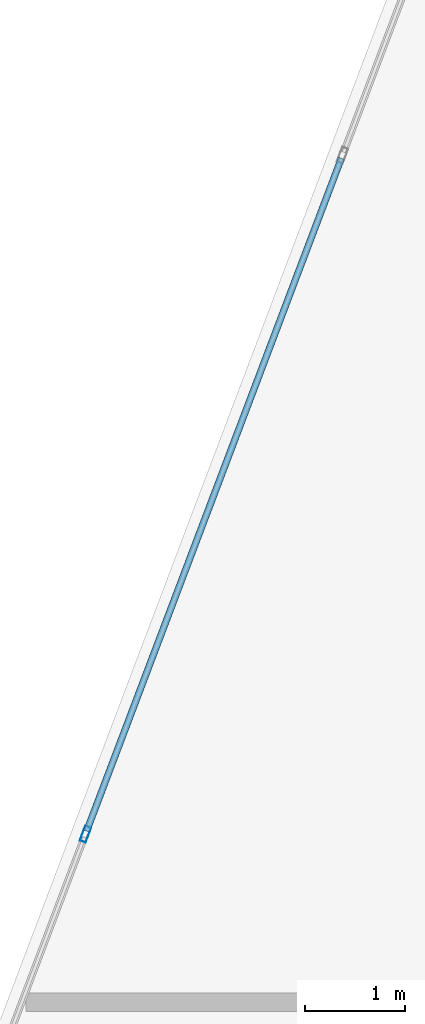
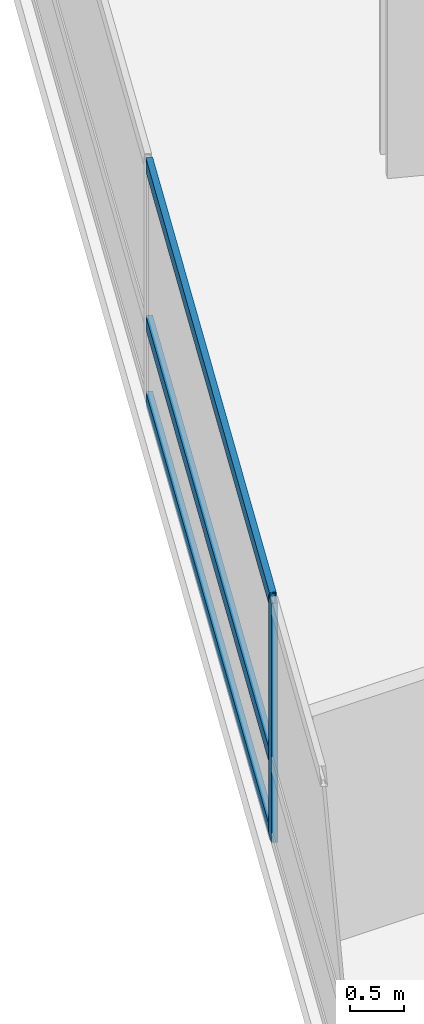
# One storey, part 4 of 24: 4 members, 1 element without a shape of its own.
"""IFC4 building model written with IfcOpenShell, lengths in metres."""

import ifcopenshell
import ifcopenshell.guid

model = None  # the IFC model being written
_history = None  # IfcOwnerHistory: only IFC2X3 demands one
_inside = {}  # id of a spatial element -> (the spatial element, [elements in it])
_under = {}  # id of a project, library or spatial element -> (it, [spatial elements below it])
_declared = {}  # id of a project -> (the project, [libraries it declares])
_typed = {}  # id of a type object -> (the type object, [elements of that type])
_made_of = {}  # id of a material, layer set ... -> (it, [elements and type objects made of it])


def new_model(schema):
    """Start an empty IFC model of exactly this schema.

    Asked for "IFC4X3", IfcOpenShell would pick the latest addendum, in which some entities
    have other attributes; the version numbers below select the first issue.
    IFC2X3 requires an IfcOwnerHistory on every rooted entity: one is made here for all.
    """
    global model, _history
    if schema == "IFC4X3":
        model = ifcopenshell.file(schema_version=(4, 3, 0, 0))
    else:
        model = ifcopenshell.file(schema=schema)
    _inside.clear()
    _under.clear()
    _declared.clear()
    _typed.clear()
    _made_of.clear()
    _history = None
    if model.schema == "IFC2X3":
        org = make("IfcOrganization", Name="unknown")
        user = make(
            "IfcPersonAndOrganization",
            ThePerson=make("IfcPerson", FamilyName="unknown"),
            TheOrganization=org,
        )
        app = make(
            "IfcApplication",
            ApplicationDeveloper=org,
            Version="unknown",
            ApplicationFullName="unknown",
            ApplicationIdentifier="unknown",
        )
        _history = make(
            "IfcOwnerHistory",
            OwningUser=user,
            OwningApplication=app,
            ChangeAction="ADDED",
            CreationDate=0,
        )
    return model


def make(cls, **values):
    """One entity of the class cls with the attributes given. An attribute that is None is left unset."""
    return model.create_entity(
        cls, **{name: value for name, value in values.items() if value is not None}
    )


def rooted(cls, **values):
    """An entity with a GlobalId (a new one), such as an element, a storey or a relation."""
    return make(cls, GlobalId=ifcopenshell.guid.new(), OwnerHistory=_history, **values)


def si_unit(unit_type, name, prefix=None):
    """IfcSIUnit, for example si_unit("LENGTHUNIT", "METRE", prefix="MILLI")."""
    return make("IfcSIUnit", UnitType=unit_type, Prefix=prefix, Name=name)


def assignment(units):
    """IfcUnitAssignment: the units of a project."""
    return None if units is None else make("IfcUnitAssignment", Units=units)


def point(xyz):
    """IfcCartesianPoint."""
    return None if xyz is None else make("IfcCartesianPoint", Coordinates=xyz)


def direction(xyz):
    """IfcDirection."""
    return None if xyz is None else make("IfcDirection", DirectionRatios=xyz)


def frame(location, z_axis=None, x_axis=None):
    """IfcAxis2Placement3D, a coordinate frame: its origin and axes. An axis left out is left unset."""
    return make(
        "IfcAxis2Placement3D",
        Location=point(location),
        Axis=direction(z_axis),
        RefDirection=direction(x_axis),
    )


def frame_2d(location, x_axis=None):
    """IfcAxis2Placement2D, a coordinate frame in the plane: its origin and x axis."""
    return make(
        "IfcAxis2Placement2D", Location=point(location), RefDirection=direction(x_axis)
    )


def origin():
    """The frame at (0, 0, 0) with its axes left unset."""
    return frame((0.0, 0.0, 0.0))


def origin_2d():
    """The frame at (0, 0) in the plane with its x axis left unset."""
    return frame_2d((0.0, 0.0))


def place(relative_to, where):
    """IfcLocalPlacement: puts the frame where relative to a parent placement (None: the world)."""
    return make(
        "IfcLocalPlacement", PlacementRelTo=relative_to, RelativePlacement=where
    )


def context(
    kind, dimensions, precision=None, world=None, true_north=None, identifier=None
):
    """IfcGeometricRepresentationContext, for example the 3D "Model" context."""
    return make(
        "IfcGeometricRepresentationContext",
        ContextIdentifier=identifier,
        ContextType=kind,
        CoordinateSpaceDimension=dimensions,
        Precision=precision,
        WorldCoordinateSystem=world,
        TrueNorth=true_north,
    )


def subcontext(parent, identifier, kind, view, scale=None):
    """IfcGeometricRepresentationSubContext, for example "Body" below "Model"."""
    return make(
        "IfcGeometricRepresentationSubContext",
        ContextIdentifier=identifier,
        ContextType=kind,
        ParentContext=parent,
        TargetScale=scale,
        TargetView=view,
    )


def project(units=None, contexts=None):
    """IfcProject with its units and contexts."""
    return rooted(
        "IfcProject",
        Name="project",
        RepresentationContexts=contexts,
        UnitsInContext=assignment(units),
    )


def spatial(cls, under=None, at=None, **own):
    """A site, building, storey or space (cls), placed at a placement, below another one or the project."""
    s = rooted(cls, ObjectPlacement=at, **own)
    if under is not None:
        _under.setdefault(under.id(), (under, []))[1].append(s)
    return s


def profile(cls, at=None, kind="AREA", **sizes):
    """A parametric profile (cls). Its sizes go by their IFC names, for example OverallWidth=200.0."""
    return make(cls, ProfileType=kind, Position=at, **sizes)


def hollow_rectangle(**sizes):
    """IfcRectangleHollowProfileDef."""
    return profile("IfcRectangleHollowProfileDef", **sizes)


def extrude(swept, where, along, depth):
    """IfcExtrudedAreaSolid: the profile swept, set in the frame where, extruded along a direction by depth."""
    return make(
        "IfcExtrudedAreaSolid",
        SweptArea=swept,
        Position=where,
        ExtrudedDirection=direction(along),
        Depth=depth,
    )


def shape(context_of_items, identifier, shape_type, items):
    """IfcShapeRepresentation: the items that make up one representation, for example the "Body"."""
    return make(
        "IfcShapeRepresentation",
        ContextOfItems=context_of_items,
        RepresentationIdentifier=identifier,
        RepresentationType=shape_type,
        Items=items,
    )


def material(Name=None, Category=None):
    """IfcMaterial."""
    return make("IfcMaterial", Name=Name, Category=Category)


def layer(
    of_material, thickness, ventilated=None, Name=None, Category=None, Priority=None
):
    """IfcMaterialLayer: one layer of a wall or slab, of a material (None: an air gap)."""
    return make(
        "IfcMaterialLayer",
        Material=of_material,
        LayerThickness=thickness,
        IsVentilated=ventilated,
        Name=Name,
        Category=Category,
        Priority=Priority,
    )


def layer_set(layers, Name=None):
    """IfcMaterialLayerSet."""
    return make("IfcMaterialLayerSet", MaterialLayers=layers, LayerSetName=Name)


def material_profile(
    of_material, cross_section, Name=None, Category=None, Priority=None
):
    """IfcMaterialProfile: a cross section and its material."""
    return make(
        "IfcMaterialProfile",
        Name=Name,
        Material=of_material,
        Profile=cross_section,
        Priority=Priority,
        Category=Category,
    )


def profile_set(profiles, Name=None, composite=None):
    """IfcMaterialProfileSet."""
    return make(
        "IfcMaterialProfileSet",
        Name=Name,
        MaterialProfiles=profiles,
        CompositeProfile=composite,
    )


def made_of(thing, what):
    """Note that an element or type object is made of a material, layer set ...; save() writes the relation."""
    if what is not None:
        _made_of.setdefault(what.id(), (what, []))[1].append(thing)
    return thing


def type_object(cls, material=None, **own):
    """A type object (cls), such as IfcWallType, which elements share."""
    return made_of(rooted(cls, **own), material)


def element(
    cls,
    number,
    at=None,
    inside=None,
    cuts=None,
    type_object=None,
    material=None,
    context=None,
    identifier="Body",
    shape_type=None,
    held_by="IfcProductDefinitionShape",
    body=None,
    shapes=None,
    **own,
):
    """One element of the class cls, such as IfcWall. Its Tag is "e" and its number.

    at: its placement. inside: the storey or other place that contains it. cuts: it is an
    opening in that element (IfcRelVoidsElement). A single representation is given by context,
    identifier, shape_type and body (its items); several are given by shapes. held_by: the class
    of the entity that holds the representations. save() writes the other relations.
    """
    e = rooted(cls, Tag="e%d" % number, ObjectPlacement=at, **own)
    if body is not None:
        shapes = [shape(context, identifier, shape_type, body)]
    if shapes is not None:
        e.Representation = make(held_by, Representations=shapes)
    if inside is not None:
        _inside.setdefault(inside.id(), (inside, []))[1].append(e)
    if cuts is not None:
        rooted(
            "IfcRelVoidsElement", RelatingBuildingElement=cuts, RelatedOpeningElement=e
        )
    if type_object is not None:
        _typed.setdefault(type_object.id(), (type_object, []))[1].append(e)
    return made_of(e, material)


def aggregate(whole, parts):
    """IfcRelAggregates: a whole, such as a stair, and the parts it consists of."""
    return rooted("IfcRelAggregates", RelatingObject=whole, RelatedObjects=parts)


def save(model, path):
    """Write the relations noted so far, then the file.

    IfcRelAggregates (storeys below a building ...), IfcRelContainedInSpatialStructure (elements
    in a storey), IfcRelDefinesByType, IfcRelAssociatesMaterial and IfcRelDeclares: one each for
    every whole, place, type object, material and project.
    """
    for whole, parts in _under.values():
        aggregate(whole, parts)
    for where, things in _inside.values():
        rooted(
            "IfcRelContainedInSpatialStructure",
            RelatedElements=things,
            RelatingStructure=where,
        )
    for kind, things in _typed.values():
        rooted("IfcRelDefinesByType", RelatedObjects=things, RelatingType=kind)
    for what, things in _made_of.values():
        rooted("IfcRelAssociatesMaterial", RelatedObjects=things, RelatingMaterial=what)
    for by, libraries in _declared.values():
        rooted("IfcRelDeclares", RelatingContext=by, RelatedDefinitions=libraries)
    model.write(path)


model = new_model("IFC4")

# Units and contexts
model_context = context("Model", 3, precision=1e-05, world=origin(), true_north=direction((0.0, 1.0)))
body_context = subcontext(model_context, "Body", "Model", "MODEL_VIEW")
ifc_project = project(units=[si_unit("LENGTHUNIT", "METRE"), si_unit("AREAUNIT", "SQUARE_METRE"), si_unit("VOLUMEUNIT", "CUBIC_METRE"), si_unit("PLANEANGLEUNIT", "RADIAN"), si_unit("MASSUNIT", "GRAM", prefix="KILO")], contexts=[model_context])

# Site, building, storey
site_placement = place(None, origin())
site = spatial("IfcSite", under=ifc_project, at=site_placement, CompositionType="ELEMENT")
building_placement = place(site_placement, origin())
building = spatial("IfcBuilding", under=site, at=building_placement, Name="Varnelok Gate Tower", CompositionType="ELEMENT")
storey_placement = place(building_placement, frame((0.0, 0.0, 102.10009765625)))
storey = spatial("IfcBuildingStorey", under=building, at=storey_placement, Name="L25", CompositionType="ELEMENT", Elevation=102.10009765625)

# Curtain wall, members
ifc_material = material(Name="Anodized Aluminum Alloy 6063-T6", Category="aluminium")
ifc_layer = layer(ifc_material, 0.179931640625)
ifc_layer_set = layer_set([ifc_layer], Name="Anodized Aluminum Alloy 6063-T6")
curtain_wall_type = type_object("IfcCurtainWallType", Name="CW3-HOTEL-VISION", PredefinedType="USERDEFINED", material=ifc_layer_set)
curtain_wall_placement = place(storey_placement, origin())
curtain_wall = element("IfcCurtainWall", 1, at=curtain_wall_placement, inside=storey, type_object=curtain_wall_type, Name="L25 West End Vision Curtain Wall", ObjectType="UNITISED CURTAIN WALL", PredefinedType="USERDEFINED")
ifc_material_profile_1 = material_profile(ifc_material, hollow_rectangle(XDim=0.06494140625, YDim=0.159912109375, WallThickness=0.00390625, at=origin_2d()), Name="ALU160X65X4")
ifc_profile_set_1 = profile_set([ifc_material_profile_1], Name="Anodized Aluminum Alloy 6063-T6")
member_type_1 = type_object("IfcMemberType", Name="CW-MULL-160", PredefinedType="MULLION", material=ifc_profile_set_1)
member_1_placement = place(storey_placement, frame((0.508544921875, 28.3359375, 0.0), z_axis=(0.0, 0.0, 1.0), x_axis=(-0.935221323688, 0.354063660545, 0.0)))
member_1 = element("IfcMember", 2, at=member_1_placement, type_object=member_type_1, Name="CW3 mullion 2", PredefinedType="MULLION", context=body_context, shape_type="SweptSolid", body=[
    extrude(hollow_rectangle(XDim=0.06494140625, YDim=0.159912109375, WallThickness=0.00390625, at=origin_2d()), origin(), (0.0, 0.0, 1.0), 2.72998046875),
])
ifc_material_profile_2 = material_profile(ifc_material, hollow_rectangle(XDim=0.06494140625, YDim=0.159912109375, WallThickness=0.00390625, at=origin_2d()), Name="ALU160X65X4")
ifc_profile_set_2 = profile_set([ifc_material_profile_2], Name="Anodized Aluminum Alloy 6063-T6")
member_type_2 = type_object("IfcMemberType", Name="CW-TRAN-160", PredefinedType="USERDEFINED", material=ifc_profile_set_2)
member_2_placement = place(storey_placement, frame((0.52001953125, 28.3662109375, 0.032470703125), z_axis=(0.354078724634, 0.935215620465, 0.0), x_axis=(-0.935215620465, 0.354078724634, 0.0)))
member_2 = element("IfcMember", 3, at=member_2_placement, type_object=member_type_2, Name="CW3 transom 2.1", ObjectType="TRANSOM", PredefinedType="USERDEFINED", context=body_context, shape_type="SweptSolid", body=[
    extrude(hollow_rectangle(XDim=0.06494140625, YDim=0.159912109375, WallThickness=0.00390625, at=origin_2d()), origin(), (0.0, 0.0, 1.0), 7.175048828125),
])
member_3_placement = place(storey_placement, frame((0.52001953125, 28.3662109375, 0.89990234375), z_axis=(0.354078724634, 0.935215620465, 0.0), x_axis=(-0.935215620465, 0.354078724634, 0.0)))
member_3 = element("IfcMember", 4, at=member_3_placement, type_object=member_type_2, Name="CW3 transom 2.2", ObjectType="TRANSOM", PredefinedType="USERDEFINED", context=body_context, shape_type="SweptSolid", body=[
    extrude(hollow_rectangle(XDim=0.06494140625, YDim=0.159912109375, WallThickness=0.00390625, at=origin_2d()), origin(), (0.0, 0.0, 1.0), 7.175048828125),
])
member_4_placement = place(storey_placement, frame((0.52001953125, 28.3662109375, 2.697509765625), z_axis=(0.354078724634, 0.935215620465, 0.0), x_axis=(-0.935215620465, 0.354078724634, 0.0)))
member_4 = element("IfcMember", 5, at=member_4_placement, type_object=member_type_2, Name="CW3 transom 2.3", ObjectType="TRANSOM", PredefinedType="USERDEFINED", context=body_context, shape_type="SweptSolid", body=[
    extrude(hollow_rectangle(XDim=0.06494140625, YDim=0.159912109375, WallThickness=0.00390625, at=origin_2d()), origin(), (0.0, 0.0, 1.0), 7.175048828125),
])
aggregate(curtain_wall, [member_1, member_2, member_3, member_4])

save(model, "model.ifc")
